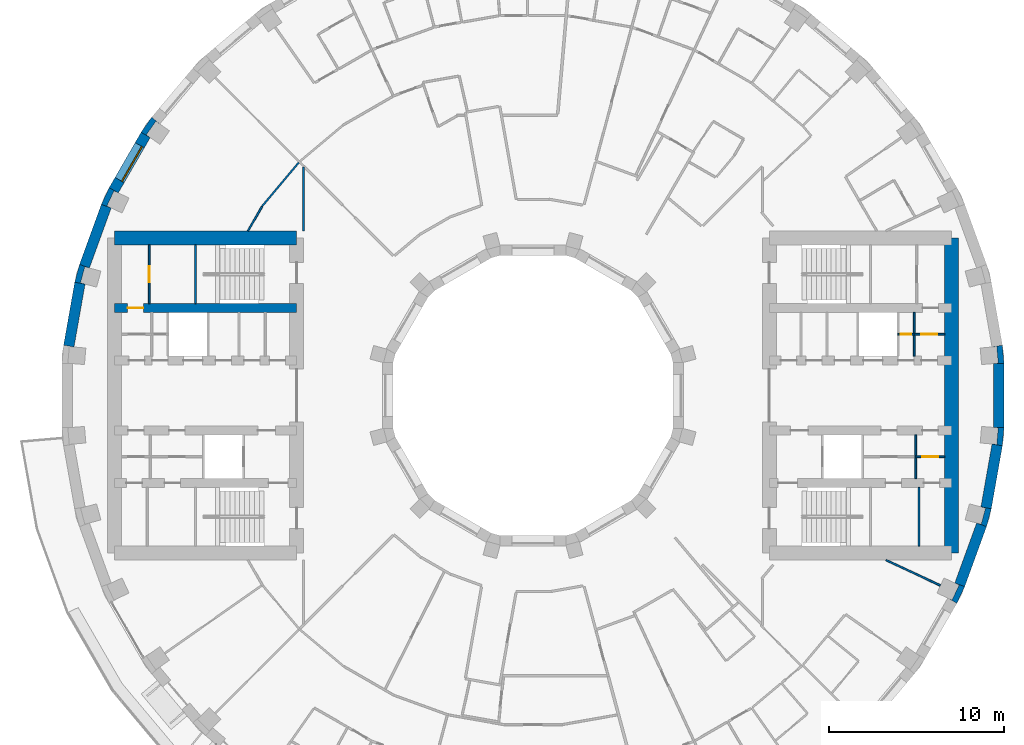
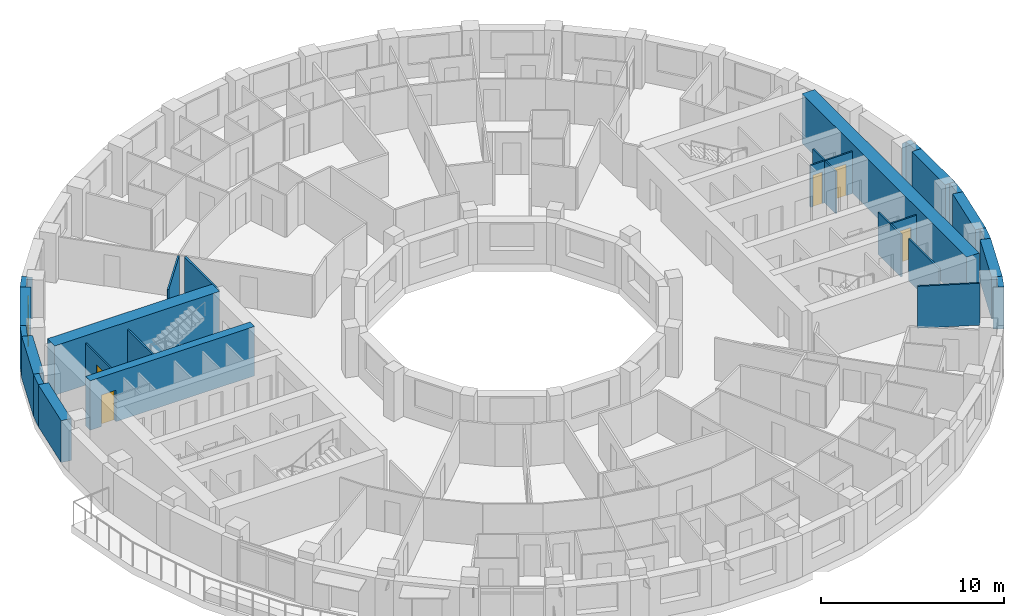
# One storey, part 10 of 16: 28 walls, 5 doors, 1 window, 6 openings.
"""IFC4 building model written with IfcOpenShell, lengths in metres."""

import ifcopenshell
import ifcopenshell.guid

model = None  # the IFC model being written
_history = None  # IfcOwnerHistory: only IFC2X3 demands one
_inside = {}  # id of a spatial element -> (the spatial element, [elements in it])
_under = {}  # id of a project, library or spatial element -> (it, [spatial elements below it])
_declared = {}  # id of a project -> (the project, [libraries it declares])
_typed = {}  # id of a type object -> (the type object, [elements of that type])
_made_of = {}  # id of a material, layer set ... -> (it, [elements and type objects made of it])


def new_model(schema):
    """Start an empty IFC model of exactly this schema.

    Asked for "IFC4X3", IfcOpenShell would pick the latest addendum, in which some entities
    have other attributes; the version numbers below select the first issue.
    IFC2X3 requires an IfcOwnerHistory on every rooted entity: one is made here for all.
    """
    global model, _history
    if schema == "IFC4X3":
        model = ifcopenshell.file(schema_version=(4, 3, 0, 0))
    else:
        model = ifcopenshell.file(schema=schema)
    _inside.clear()
    _under.clear()
    _declared.clear()
    _typed.clear()
    _made_of.clear()
    _history = None
    if model.schema == "IFC2X3":
        org = make("IfcOrganization", Name="unknown")
        user = make(
            "IfcPersonAndOrganization",
            ThePerson=make("IfcPerson", FamilyName="unknown"),
            TheOrganization=org,
        )
        app = make(
            "IfcApplication",
            ApplicationDeveloper=org,
            Version="unknown",
            ApplicationFullName="unknown",
            ApplicationIdentifier="unknown",
        )
        _history = make(
            "IfcOwnerHistory",
            OwningUser=user,
            OwningApplication=app,
            ChangeAction="ADDED",
            CreationDate=0,
        )
    return model


def make(cls, **values):
    """One entity of the class cls with the attributes given. An attribute that is None is left unset."""
    return model.create_entity(
        cls, **{name: value for name, value in values.items() if value is not None}
    )


def rooted(cls, **values):
    """An entity with a GlobalId (a new one), such as an element, a storey or a relation."""
    return make(cls, GlobalId=ifcopenshell.guid.new(), OwnerHistory=_history, **values)


def si_unit(unit_type, name, prefix=None):
    """IfcSIUnit, for example si_unit("LENGTHUNIT", "METRE", prefix="MILLI")."""
    return make("IfcSIUnit", UnitType=unit_type, Prefix=prefix, Name=name)


def assignment(units):
    """IfcUnitAssignment: the units of a project."""
    return None if units is None else make("IfcUnitAssignment", Units=units)


def point(xyz):
    """IfcCartesianPoint."""
    return None if xyz is None else make("IfcCartesianPoint", Coordinates=xyz)


def direction(xyz):
    """IfcDirection."""
    return None if xyz is None else make("IfcDirection", DirectionRatios=xyz)


def frame(location, z_axis=None, x_axis=None):
    """IfcAxis2Placement3D, a coordinate frame: its origin and axes. An axis left out is left unset."""
    return make(
        "IfcAxis2Placement3D",
        Location=point(location),
        Axis=direction(z_axis),
        RefDirection=direction(x_axis),
    )


def frame_2d(location, x_axis=None):
    """IfcAxis2Placement2D, a coordinate frame in the plane: its origin and x axis."""
    return make(
        "IfcAxis2Placement2D", Location=point(location), RefDirection=direction(x_axis)
    )


def origin():
    """The frame at (0, 0, 0) with its axes left unset."""
    return frame((0.0, 0.0, 0.0))


def place(relative_to, where):
    """IfcLocalPlacement: puts the frame where relative to a parent placement (None: the world)."""
    return make(
        "IfcLocalPlacement", PlacementRelTo=relative_to, RelativePlacement=where
    )


def context(
    kind, dimensions, precision=None, world=None, true_north=None, identifier=None
):
    """IfcGeometricRepresentationContext, for example the 3D "Model" context."""
    return make(
        "IfcGeometricRepresentationContext",
        ContextIdentifier=identifier,
        ContextType=kind,
        CoordinateSpaceDimension=dimensions,
        Precision=precision,
        WorldCoordinateSystem=world,
        TrueNorth=true_north,
    )


def subcontext(parent, identifier, kind, view, scale=None):
    """IfcGeometricRepresentationSubContext, for example "Body" below "Model"."""
    return make(
        "IfcGeometricRepresentationSubContext",
        ContextIdentifier=identifier,
        ContextType=kind,
        ParentContext=parent,
        TargetScale=scale,
        TargetView=view,
    )


def project(units=None, contexts=None):
    """IfcProject with its units and contexts."""
    return rooted(
        "IfcProject",
        Name="project",
        RepresentationContexts=contexts,
        UnitsInContext=assignment(units),
    )


def spatial(cls, under=None, at=None, **own):
    """A site, building, storey or space (cls), placed at a placement, below another one or the project."""
    s = rooted(cls, ObjectPlacement=at, **own)
    if under is not None:
        _under.setdefault(under.id(), (under, []))[1].append(s)
    return s


def polyline(points):
    """IfcPolyline through the points."""
    return make("IfcPolyline", Points=[point(p) for p in points])


def profile(cls, at=None, kind="AREA", **sizes):
    """A parametric profile (cls). Its sizes go by their IFC names, for example OverallWidth=200.0."""
    return make(cls, ProfileType=kind, Position=at, **sizes)


def rectangle(**sizes):
    """IfcRectangleProfileDef."""
    return profile("IfcRectangleProfileDef", **sizes)


def outline(outer, holes=None, kind="AREA"):
    """IfcArbitraryClosedProfileDef: a profile drawn as a closed curve; with holes, ...WithVoids."""
    if holes is None:
        return make("IfcArbitraryClosedProfileDef", ProfileType=kind, OuterCurve=outer)
    return make(
        "IfcArbitraryProfileDefWithVoids",
        ProfileType=kind,
        OuterCurve=outer,
        InnerCurves=holes,
    )


def extrude(swept, where, along, depth):
    """IfcExtrudedAreaSolid: the profile swept, set in the frame where, extruded along a direction by depth."""
    return make(
        "IfcExtrudedAreaSolid",
        SweptArea=swept,
        Position=where,
        ExtrudedDirection=direction(along),
        Depth=depth,
    )


def shape(context_of_items, identifier, shape_type, items):
    """IfcShapeRepresentation: the items that make up one representation, for example the "Body"."""
    return make(
        "IfcShapeRepresentation",
        ContextOfItems=context_of_items,
        RepresentationIdentifier=identifier,
        RepresentationType=shape_type,
        Items=items,
    )


def material(Name=None, Category=None):
    """IfcMaterial."""
    return make("IfcMaterial", Name=Name, Category=Category)


def layer(
    of_material, thickness, ventilated=None, Name=None, Category=None, Priority=None
):
    """IfcMaterialLayer: one layer of a wall or slab, of a material (None: an air gap)."""
    return make(
        "IfcMaterialLayer",
        Material=of_material,
        LayerThickness=thickness,
        IsVentilated=ventilated,
        Name=Name,
        Category=Category,
        Priority=Priority,
    )


def layer_set(layers, Name=None):
    """IfcMaterialLayerSet."""
    return make("IfcMaterialLayerSet", MaterialLayers=layers, LayerSetName=Name)


def made_of(thing, what):
    """Note that an element or type object is made of a material, layer set ...; save() writes the relation."""
    if what is not None:
        _made_of.setdefault(what.id(), (what, []))[1].append(thing)
    return thing


def type_object(cls, material=None, **own):
    """A type object (cls), such as IfcWallType, which elements share."""
    return made_of(rooted(cls, **own), material)


def element(
    cls,
    number,
    at=None,
    inside=None,
    cuts=None,
    type_object=None,
    material=None,
    context=None,
    identifier="Body",
    shape_type=None,
    held_by="IfcProductDefinitionShape",
    body=None,
    shapes=None,
    **own,
):
    """One element of the class cls, such as IfcWall. Its Tag is "e" and its number.

    at: its placement. inside: the storey or other place that contains it. cuts: it is an
    opening in that element (IfcRelVoidsElement). A single representation is given by context,
    identifier, shape_type and body (its items); several are given by shapes. held_by: the class
    of the entity that holds the representations. save() writes the other relations.
    """
    e = rooted(cls, Tag="e%d" % number, ObjectPlacement=at, **own)
    if body is not None:
        shapes = [shape(context, identifier, shape_type, body)]
    if shapes is not None:
        e.Representation = make(held_by, Representations=shapes)
    if inside is not None:
        _inside.setdefault(inside.id(), (inside, []))[1].append(e)
    if cuts is not None:
        rooted(
            "IfcRelVoidsElement", RelatingBuildingElement=cuts, RelatedOpeningElement=e
        )
    if type_object is not None:
        _typed.setdefault(type_object.id(), (type_object, []))[1].append(e)
    return made_of(e, material)


def fill(opening, filler):
    """IfcRelFillsElement: the door or window that sits in an opening."""
    return rooted(
        "IfcRelFillsElement",
        RelatingOpeningElement=opening,
        RelatedBuildingElement=filler,
    )


def aggregate(whole, parts):
    """IfcRelAggregates: a whole, such as a stair, and the parts it consists of."""
    return rooted("IfcRelAggregates", RelatingObject=whole, RelatedObjects=parts)


def save(model, path):
    """Write the relations noted so far, then the file.

    IfcRelAggregates (storeys below a building ...), IfcRelContainedInSpatialStructure (elements
    in a storey), IfcRelDefinesByType, IfcRelAssociatesMaterial and IfcRelDeclares: one each for
    every whole, place, type object, material and project.
    """
    for whole, parts in _under.values():
        aggregate(whole, parts)
    for where, things in _inside.values():
        rooted(
            "IfcRelContainedInSpatialStructure",
            RelatedElements=things,
            RelatingStructure=where,
        )
    for kind, things in _typed.values():
        rooted("IfcRelDefinesByType", RelatedObjects=things, RelatingType=kind)
    for what, things in _made_of.values():
        rooted("IfcRelAssociatesMaterial", RelatedObjects=things, RelatingMaterial=what)
    for by, libraries in _declared.values():
        rooted("IfcRelDeclares", RelatingContext=by, RelatedDefinitions=libraries)
    model.write(path)


model = new_model("IFC4")

# Units and contexts
model_context = context("Model", 3, precision=1e-05, world=origin(), true_north=direction((0.0, 1.0)))
body_context = subcontext(model_context, "Body", "Model", "MODEL_VIEW")
ifc_project = project(units=[si_unit("LENGTHUNIT", "METRE"), si_unit("AREAUNIT", "SQUARE_METRE"), si_unit("VOLUMEUNIT", "CUBIC_METRE"), si_unit("PLANEANGLEUNIT", "RADIAN"), si_unit("MASSUNIT", "GRAM", prefix="KILO")], contexts=[model_context])

# Site, building, storey
site_placement = place(None, origin())
site = spatial("IfcSite", under=ifc_project, at=site_placement, CompositionType="ELEMENT")
building_placement = place(site_placement, origin())
building = spatial("IfcBuilding", under=site, at=building_placement, Name="Saqina Gate Tower", CompositionType="ELEMENT")
storey_placement = place(building_placement, frame((0.0, 0.0, 128.199951171875)))
storey = spatial("IfcBuildingStorey", under=building, at=storey_placement, Name="L36", CompositionType="ELEMENT", Elevation=128.199951171875)

# Walls
ifc_material_1 = material(Name="Brick masonry (buff)", Category="masonry")
wall_type_1 = type_object("IfcWallType", Name="BRICK PIER COPING BUFF", PredefinedType="SOLIDWALL", material=ifc_material_1)
wall_1_placement = place(storey_placement, origin())
element("IfcWall", 1, at=wall_1_placement, inside=storey, type_object=wall_type_1, Name="Pier cap L36 column 1", PredefinedType="SOLIDWALL", context=body_context, shape_type="SweptSolid", body=[
    extrude(outline(polyline([(26.805419921875, 2.87451171875), (26.214599609375, 2.770263671875), (26.482421875, 2.793701171875), (26.565185546875, 1.847412109375), (26.29736328125, 1.823974609375), (26.897216796875, 1.823974609375), (26.805419921875, 2.87451171875)])), origin(), (0.0, 0.0, 1.0), 2.800048828125),
])
wall_2_placement = place(storey_placement, origin())
element("IfcWall", 2, at=wall_2_placement, inside=storey, type_object=wall_type_1, Name="Pier cap L36 column 15", PredefinedType="SOLIDWALL", context=body_context, shape_type="SweptSolid", body=[
    extrude(outline(polyline([(-22.3818359375, 15.0283203125), (-21.862060546875, 14.728271484375), (-22.08251953125, 14.88232421875), (-21.53759765625, 15.66064453125), (-21.317138671875, 15.50634765625), (-21.77685546875, 15.89208984375), (-22.3818359375, 15.0283203125)])), origin(), (0.0, 0.0, 1.0), 2.800048828125),
])
wall_3_placement = place(storey_placement, origin())
element("IfcWall", 3, at=wall_3_placement, inside=storey, type_object=wall_type_1, Name="Pier cap L36 column 16", PredefinedType="SOLIDWALL", context=body_context, shape_type="SweptSolid", body=[
    extrude(outline(polyline([(-24.6513671875, 10.913330078125), (-24.08740234375, 10.7080078125), (-24.331298828125, 10.82177734375), (-23.9296875, 11.6826171875), (-23.68603515625, 11.569091796875), (-24.205810546875, 11.869140625), (-24.6513671875, 10.913330078125)])), origin(), (0.0, 0.0, 1.0), 2.800048828125),
])
wall_4_placement = place(storey_placement, origin())
element("IfcWall", 4, at=wall_4_placement, inside=storey, type_object=wall_type_1, Name="Pier cap L36 column 17", PredefinedType="SOLIDWALL", context=body_context, shape_type="SweptSolid", body=[
    extrude(outline(polyline([(-25.89892578125, 7.485595703125), (-26.171875, 6.466796875), (-25.5810546875, 6.36279296875), (-25.8408203125, 6.43212890625), (-25.5947265625, 7.349853515625), (-25.335205078125, 7.2802734375), (-25.89892578125, 7.485595703125)])), origin(), (0.0, 0.0, 1.0), 2.800048828125),
])
wall_5_placement = place(storey_placement, origin())
element("IfcWall", 5, at=wall_5_placement, inside=storey, type_object=wall_type_1, Name="Pier cap L36 column 34", PredefinedType="SOLIDWALL", context=body_context, shape_type="SweptSolid", body=[
    extrude(outline(polyline([(24.6513671875, -10.913330078125), (24.08740234375, -10.7080078125), (24.331298828125, -10.82177734375), (23.9296875, -11.6826171875), (23.68603515625, -11.569091796875), (24.205810546875, -11.869140625), (24.6513671875, -10.913330078125)])), origin(), (0.0, 0.0, 1.0), 2.800048828125),
])
wall_6_placement = place(storey_placement, origin())
element("IfcWall", 6, at=wall_6_placement, inside=storey, type_object=wall_type_1, Name="Pier cap L36 column 35", PredefinedType="SOLIDWALL", context=body_context, shape_type="SweptSolid", body=[
    extrude(outline(polyline([(25.89892578125, -7.485595703125), (26.171875, -6.466796875), (25.5810546875, -6.36279296875), (25.8408203125, -6.43212890625), (25.5947265625, -7.349853515625), (25.335205078125, -7.2802734375), (25.89892578125, -7.485595703125)])), origin(), (0.0, 0.0, 1.0), 2.800048828125),
])
wall_7_placement = place(storey_placement, origin())
element("IfcWall", 7, at=wall_7_placement, inside=storey, type_object=wall_type_1, Name="Pier cap L36 column 36", PredefinedType="SOLIDWALL", context=body_context, shape_type="SweptSolid", body=[
    extrude(outline(polyline([(26.805419921875, -2.87451171875), (26.897216796875, -1.823974609375), (26.29736328125, -1.823974609375), (26.565185546875, -1.847412109375), (26.482421875, -2.793701171875), (26.214599609375, -2.770263671875), (26.805419921875, -2.87451171875)])), origin(), (0.0, 0.0, 1.0), 2.800048828125),
])
ifc_material_2 = material(Name="Gypsum board on steel studs", Category="steel")
ifc_layer_1 = layer(ifc_material_2, 0.10009765625)
ifc_layer_set_1 = layer_set([ifc_layer_1], Name="CORE PARTITION")
wall_type_2 = type_object("IfcWallType", Name="CORE PARTITION", PredefinedType="PARTITIONING", material=ifc_layer_set_1)
for number, where, z_axis, x_axis, name in (
    (8, (21.77099609375, 2.25, 0.0), (0.0, 0.0, 1.0), (0.0, 1.0, 0.0), "L36-CP-E05"),
    (9, (21.8583984375, -4.75, 0.0), (0.0, 0.0, 1.0), (0.0, 1.0, 0.0), "L36-CP-E08"),
):
    element("IfcWall", number, at=place(storey_placement, frame(where, z_axis=z_axis, x_axis=x_axis)), inside=storey, type_object=wall_type_2, Name=name, PredefinedType="PARTITIONING", context=body_context, shape_type="SweptSolid", body=[
        extrude(rectangle(XDim=2.5, YDim=0.10009765625, at=frame_2d((1.25, 0.0))), origin(), (0.0, 0.0, 1.0), 2.800048828125),
    ])

# Wall, opening, door
wall_8_placement = place(storey_placement, frame((20.840087890625, 3.5, 0.0), z_axis=(0.0, 0.0, 1.0), x_axis=(1.0, 0.0, 0.0)))
wall_8 = element("IfcWall", 10, at=wall_8_placement, inside=storey, type_object=wall_type_2, Name="L36-CP-E09", PredefinedType="PARTITIONING", context=body_context, shape_type="SweptSolid", body=[
    extrude(rectangle(XDim=0.930908203125, YDim=0.10009765625, at=frame_2d((0.46533203125, 0.0))), origin(), (0.0, 0.0, 1.0), 2.800048828125),
])
opening_1_placement = place(wall_8_placement, frame((0.14990234375, 0.0, 0.0)))
opening_1 = element("IfcOpeningElement", 11, at=opening_1_placement, cuts=wall_8, Name="Opening G10-D98", PredefinedType="OPENING", context=body_context, shape_type="SweptSolid", body=[
    extrude(rectangle(XDim=0.60009765625, YDim=2.10009765625, at=frame_2d((0.300048828125, 1.050048828125))), frame((0.0, 0.06201171875, 0.0), z_axis=(0.0, -1.0, 0.0), x_axis=(1.0, 0.0, 0.0)), (0.0, 0.0, 1.0), 0.1240234375),
])
ifc_material_3 = material(Name="Steel-framed fire door leaf, EI 60", Category="steel")
door_type_1 = type_object("IfcDoorType", Name="SERVICE ROOM DOOR 600", OperationType="SINGLE_SWING_LEFT", PredefinedType="DOOR", material=ifc_material_3)
door_1_placement = place(opening_1_placement, origin())
door_1 = element("IfcDoor", 12, at=door_1_placement, inside=storey, type_object=door_type_1, Name="L36-CD-E09", OperationType="SINGLE_SWING_LEFT", OverallHeight=2.10009765625, OverallWidth=0.60009765625, PredefinedType="DOOR", context=body_context, shape_type="SweptSolid", body=[
    extrude(rectangle(XDim=0.60009765625, YDim=2.10009765625, at=frame_2d((0.300048828125, 1.050048828125))), frame((0.0, 0.02490234375, 0.0), z_axis=(0.0, -1.0, 0.0), x_axis=(1.0, 0.0, 0.0)), (0.0, 0.0, 1.0), 0.050048828125),
])
fill(opening_1, door_1)

wall_9_placement = place(storey_placement, frame((21.77099609375, 3.5, 0.0), z_axis=(0.0, 0.0, 1.0), x_axis=(1.0, 0.0, 0.0)))
wall_9 = element("IfcWall", 13, at=wall_9_placement, inside=storey, type_object=wall_type_2, Name="L36-CP-E10", PredefinedType="PARTITIONING", context=body_context, shape_type="SweptSolid", body=[
    extrude(rectangle(XDim=1.72900390625, YDim=0.10009765625, at=frame_2d((0.864501953125, 0.0))), origin(), (0.0, 0.0, 1.0), 2.800048828125),
])
opening_2_placement = place(wall_9_placement, frame((0.41455078125, 0.0, 0.0)))
opening_2 = element("IfcOpeningElement", 14, at=opening_2_placement, cuts=wall_9, Name="Opening G10-D99", PredefinedType="OPENING", context=body_context, shape_type="SweptSolid", body=[
    extrude(rectangle(XDim=0.89990234375, YDim=2.10009765625, at=frame_2d((0.449951171875, 1.050048828125))), frame((0.0, 0.06201171875, 0.0), z_axis=(0.0, -1.0, 0.0), x_axis=(1.0, 0.0, 0.0)), (0.0, 0.0, 1.0), 0.1240234375),
])
ifc_material_4 = material(Name="Steel-framed fire door leaf, EI 60", Category="steel")
door_type_2 = type_object("IfcDoorType", Name="SERVICE ROOM DOOR 900", OperationType="SINGLE_SWING_LEFT", PredefinedType="DOOR", material=ifc_material_4)
door_2_placement = place(opening_2_placement, origin())
door_2 = element("IfcDoor", 15, at=door_2_placement, inside=storey, type_object=door_type_2, Name="L36-CD-E10", OperationType="SINGLE_SWING_RIGHT", OverallHeight=2.10009765625, OverallWidth=0.89990234375, PredefinedType="DOOR", context=body_context, shape_type="SweptSolid", body=[
    extrude(rectangle(XDim=0.89990234375, YDim=2.10009765625, at=frame_2d((0.449951171875, 1.050048828125))), frame((0.0, 0.02490234375, 0.0), z_axis=(0.0, -1.0, 0.0), x_axis=(1.0, 0.0, 0.0)), (0.0, 0.0, 1.0), 0.050048828125),
])
fill(opening_2, door_2)

wall_10_placement = place(storey_placement, frame((21.8583984375, -3.5, 0.0), z_axis=(0.0, 0.0, 1.0), x_axis=(1.0, 0.0, 0.0)))
wall_10 = element("IfcWall", 16, at=wall_10_placement, inside=storey, type_object=wall_type_2, Name="L36-CP-E12", PredefinedType="PARTITIONING", context=body_context, shape_type="SweptSolid", body=[
    extrude(rectangle(XDim=1.6416015625, YDim=0.10009765625, at=frame_2d((0.82080078125, 0.0))), origin(), (0.0, 0.0, 1.0), 2.800048828125),
])
opening_3_placement = place(wall_10_placement, frame((0.370849609375, 0.0, 0.0)))
opening_3 = element("IfcOpeningElement", 17, at=opening_3_placement, cuts=wall_10, Name="Opening G10-D102", PredefinedType="OPENING", context=body_context, shape_type="SweptSolid", body=[
    extrude(rectangle(XDim=0.89990234375, YDim=2.10009765625, at=frame_2d((0.449951171875, 1.050048828125))), frame((0.0, 0.06201171875, 0.0), z_axis=(0.0, -1.0, 0.0), x_axis=(1.0, 0.0, 0.0)), (0.0, 0.0, 1.0), 0.1240234375),
])
door_3_placement = place(opening_3_placement, frame((0.89990234375, 0.0, 0.0), z_axis=(0.0, 0.0, 1.0), x_axis=(-1.0, 0.0, 0.0)))
door_3 = element("IfcDoor", 18, at=door_3_placement, inside=storey, type_object=door_type_2, Name="L36-CD-E13", OperationType="SINGLE_SWING_LEFT", OverallHeight=2.10009765625, OverallWidth=0.89990234375, PredefinedType="DOOR", context=body_context, shape_type="SweptSolid", body=[
    extrude(rectangle(XDim=0.89990234375, YDim=2.10009765625, at=frame_2d((0.449951171875, 1.050048828125))), frame((0.0, 0.02490234375, 0.0), z_axis=(0.0, -1.0, 0.0), x_axis=(1.0, 0.0, 0.0)), (0.0, 0.0, 1.0), 0.050048828125),
])
fill(opening_3, door_3)

# Wall
wall_11_placement = place(storey_placement, frame((22.037109375, -8.60009765625, 0.0), z_axis=(0.0, 0.0, 1.0), x_axis=(0.0, 1.0, 0.0)))
element("IfcWall", 19, at=wall_11_placement, inside=storey, type_object=wall_type_2, Name="L36-CP-E16", PredefinedType="PARTITIONING", context=body_context, shape_type="SweptSolid", body=[
    extrude(rectangle(XDim=3.35009765625, YDim=0.10009765625, at=frame_2d((1.675048828125, 0.0))), origin(), (0.0, 0.0, 1.0), 2.800048828125),
])

# Wall, opening, door
wall_12_placement = place(storey_placement, frame((-21.91162109375, 5.25, 0.0), z_axis=(0.0, 0.0, 1.0), x_axis=(0.0, 1.0, 0.0)))
wall_12 = element("IfcWall", 20, at=wall_12_placement, inside=storey, type_object=wall_type_2, Name="L36-CP-W14", PredefinedType="PARTITIONING", context=body_context, shape_type="SweptSolid", body=[
    extrude(rectangle(XDim=3.35009765625, YDim=0.10009765625, at=frame_2d((1.675048828125, 0.0))), origin(), (0.0, 0.0, 1.0), 2.800048828125),
])
opening_4_placement = place(wall_12_placement, frame((1.22509765625, 0.0, 0.0)))
opening_4 = element("IfcOpeningElement", 21, at=opening_4_placement, cuts=wall_12, Name="Opening G10-D120", PredefinedType="OPENING", context=body_context, shape_type="SweptSolid", body=[
    extrude(rectangle(XDim=0.89990234375, YDim=2.10009765625, at=frame_2d((0.449951171875, 1.050048828125))), frame((0.0, 0.06201171875, 0.0), z_axis=(0.0, -1.0, 0.0), x_axis=(1.0, 0.0, 0.0)), (0.0, 0.0, 1.0), 0.1240234375),
])
door_4_placement = place(opening_4_placement, frame((0.89990234375, 0.0, 0.0), z_axis=(0.0, 0.0, 1.0), x_axis=(-1.0, 0.0, 0.0)))
door_4 = element("IfcDoor", 22, at=door_4_placement, inside=storey, type_object=door_type_2, Name="L36-CD-W31", OperationType="SINGLE_SWING_LEFT", OverallHeight=2.10009765625, OverallWidth=0.89990234375, PredefinedType="DOOR", context=body_context, shape_type="SweptSolid", body=[
    extrude(rectangle(XDim=0.89990234375, YDim=2.10009765625, at=frame_2d((0.449951171875, 1.050048828125))), frame((0.0, 0.02490234375, 0.0), z_axis=(0.0, -1.0, 0.0), x_axis=(1.0, 0.0, 0.0)), (0.0, 0.0, 1.0), 0.050048828125),
])
fill(opening_4, door_4)

# Wall, opening, window
ifc_material_5 = material(Name="Brick masonry (buff)", Category="masonry")
ifc_layer_2 = layer(ifc_material_5, 0.60009765625)
ifc_layer_set_2 = layer_set([ifc_layer_2], Name="FW-BRICK-BUFF")
wall_type_3 = type_object("IfcWallType", Name="FW-BRICK-BUFF", PredefinedType="SOLIDWALL", material=ifc_layer_set_2)
wall_13_placement = place(storey_placement, frame((-22.1220703125, 14.878173828125, 0.0), z_axis=(0.0, 0.0, 1.0), x_axis=(-0.499954196102, -0.866051847062, 0.0)))
wall_13 = element("IfcWall", 23, at=wall_13_placement, inside=storey, type_object=wall_type_3, Name="Facade wall L36 facet 15", PredefinedType="SOLIDWALL", context=body_context, shape_type="SweptSolid", body=[
    extrude(rectangle(XDim=3.647705078125, YDim=0.60009765625, at=frame_2d((1.82373046875, 0.0))), origin(), (0.0, 0.0, 1.0), 2.800048828125),
])
opening_5_placement = place(wall_13_placement, frame((0.673828125, 0.0, 0.89990234375)))
opening_5 = element("IfcOpeningElement", 24, at=opening_5_placement, cuts=wall_13, Name="Opening G10-W13", PredefinedType="OPENING", context=body_context, shape_type="SweptSolid", body=[
    extrude(rectangle(XDim=2.300048828125, YDim=1.800048828125, at=frame_2d((1.14990234375, 0.89990234375))), frame((0.0, 0.31201171875, 0.0), z_axis=(0.0, -1.0, 0.0), x_axis=(1.0, 0.0, 0.0)), (0.0, 0.0, 1.0), 0.6240234375),
])
ifc_material_6 = material(Name="Aluminium glazing", Category="aluminium")
window_type = type_object("IfcWindowType", Name="WN-B", PartitioningType="SINGLE_PANEL", PredefinedType="WINDOW", material=ifc_material_6)
window_placement = place(opening_5_placement, origin())
window = element("IfcWindow", 25, at=window_placement, inside=storey, type_object=window_type, Name="Window L36 facet 15", OverallHeight=1.800048828125, OverallWidth=2.300048828125, PartitioningType="SINGLE_PANEL", PredefinedType="WINDOW", context=body_context, shape_type="SweptSolid", body=[
    extrude(rectangle(XDim=2.300048828125, YDim=1.800048828125, at=frame_2d((1.14990234375, 0.89990234375))), frame((0.0, 0.179931640625, 0.0), z_axis=(0.0, -1.0, 0.0), x_axis=(1.0, 0.0, 0.0)), (0.0, 0.0, 1.0), 0.06005859375),
])
fill(opening_5, window)

# Walls
ifc_material_7 = material(Name="Glazed ceramic tile", Category="ceramic")
ifc_layer_3 = layer(ifc_material_7, 0.60009765625)
ifc_layer_set_3 = layer_set([ifc_layer_3], Name="FW-TILE")
wall_type_4 = type_object("IfcWallType", Name="FW-TILE", PredefinedType="SOLIDWALL", material=ifc_layer_set_3)
for number, where, z_axis, x_axis, name in (
    (26, (-25.87646484375, 6.414794921875, 0.0), (0.0, 0.0, 1.0), (-0.173670796382, -0.984803764455, 0.0), "Facade wall L36 facet 17"),
    (27, (25.87646484375, -6.414794921875, 0.0), (0.0, 0.0, 1.0), (0.173670796382, 0.984803764455, 0.0), "Facade wall L36 facet 35"),
):
    element("IfcWall", number, at=place(storey_placement, frame(where, z_axis=z_axis, x_axis=x_axis)), inside=storey, type_object=wall_type_4, Name=name, PredefinedType="SOLIDWALL", context=body_context, shape_type="SweptSolid", body=[
        extrude(rectangle(XDim=3.64794921875, YDim=0.60009765625, at=frame_2d((1.823974609375, 0.0))), origin(), (0.0, 0.0, 1.0), 2.800048828125),
    ])
ifc_material_8 = material(Name="Glazed ceramic tile (dark blue)", Category="ceramic")
ifc_layer_4 = layer(ifc_material_8, 0.60009765625)
ifc_layer_set_4 = layer_set([ifc_layer_4], Name="FW-TILE-CB")
wall_type_5 = type_object("IfcWallType", Name="FW-TILE-CB", PredefinedType="SOLIDWALL", material=ifc_layer_set_4)
wall_14_placement = place(storey_placement, frame((24.369384765625, -10.810791015625, 0.0), z_axis=(0.0, 0.0, 1.0), x_axis=(0.341990236633, 0.939703505393, 0.0)))
element("IfcWall", 28, at=wall_14_placement, inside=storey, type_object=wall_type_5, Name="Facade wall L36 facet 34", PredefinedType="SOLIDWALL", context=body_context, shape_type="SweptSolid", body=[
    extrude(rectangle(XDim=3.64794921875, YDim=0.60009765625, at=frame_2d((1.823974609375, 0.0))), origin(), (0.0, 0.0, 1.0), 2.800048828125),
])
ifc_material_9 = material(Name="Glazed ceramic tile (white)", Category="ceramic")
ifc_layer_5 = layer(ifc_material_9, 0.60009765625)
ifc_layer_set_5 = layer_set([ifc_layer_5], Name="FW-TILE-WH")
wall_type_6 = type_object("IfcWallType", Name="FW-TILE-WH", PredefinedType="SOLIDWALL", material=ifc_layer_set_5)
for number, where, z_axis, x_axis, name in (
    (29, (-24.369384765625, 10.810791015625, 0.0), (0.0, 0.0, 1.0), (-0.341990236633, -0.939703505393, 0.0), "Facade wall L36 facet 16"),
    (30, (26.59716796875, -1.823974609375, 0.0), (0.0, 0.0, 1.0), (0.0, 1.0, 0.0), "Facade wall L36 facet 36"),
):
    element("IfcWall", number, at=place(storey_placement, frame(where, z_axis=z_axis, x_axis=x_axis)), inside=storey, type_object=wall_type_6, Name=name, PredefinedType="SOLIDWALL", context=body_context, shape_type="SweptSolid", body=[
        extrude(rectangle(XDim=3.64794921875, YDim=0.60009765625, at=frame_2d((1.823974609375, 0.0))), origin(), (0.0, 0.0, 1.0), 2.800048828125),
    ])
ifc_material_10 = material(Name="Gypsum board on steel studs, 100 mm", Category="steel")
ifc_layer_6 = layer(ifc_material_10, 0.10009765625)
ifc_layer_set_6 = layer_set([ifc_layer_6], Name="PARTITION 100")
wall_type_7 = type_object("IfcWallType", Name="PARTITION 100", PredefinedType="PARTITIONING", material=ifc_layer_set_6)
wall_15_placement = place(storey_placement, frame((20.159912109375, -9.39990234375, 0.0), z_axis=(0.0, 0.0, 1.0), x_axis=(0.906121146584, -0.423018282954, 0.0)))
element("IfcWall", 31, at=wall_15_placement, inside=storey, type_object=wall_type_7, Name="PARTITION PW3-39", PredefinedType="PARTITIONING", context=body_context, shape_type="SweptSolid", body=[
    extrude(rectangle(XDim=3.42138671875, YDim=0.10009765625, at=frame_2d((1.710693359375, 0.0))), origin(), (0.0, 0.0, 1.0), 2.800048828125),
])
wall_16_placement = place(storey_placement, frame((-15.49072265625, 10.78515625, 0.0), z_axis=(0.0, 0.0, 1.0), x_axis=(0.642706409745, 0.766112570627, 0.0)))
element("IfcWall", 32, at=wall_16_placement, inside=storey, type_object=wall_type_7, Name="PARTITION PW3-87", PredefinedType="PARTITIONING", context=body_context, shape_type="SweptSolid", body=[
    extrude(rectangle(XDim=3.2900390625, YDim=0.10009765625, at=frame_2d((1.64501953125, 0.0))), origin(), (0.0, 0.0, 1.0), 2.800048828125),
])
wall_17_placement = place(storey_placement, frame((-16.281005859375, 9.39794921875, 0.0), z_axis=(0.0, 0.0, 1.0), x_axis=(0.499872473806, 0.866099018549, 0.0)))
element("IfcWall", 33, at=wall_17_placement, inside=storey, type_object=wall_type_7, Name="PARTITION PW3-93", PredefinedType="PARTITIONING", context=body_context, shape_type="SweptSolid", body=[
    extrude(rectangle(XDim=1.5966796875, YDim=0.10009765625, at=frame_2d((0.79833984375, 0.0))), origin(), (0.0, 0.0, 1.0), 2.800048828125),
])
ifc_material_11 = material(Name="Gypsum board on steel studs, 125 mm, fire rated", Category="steel")
ifc_layer_7 = layer(ifc_material_11, 0.125)
ifc_layer_set_7 = layer_set([ifc_layer_7], Name="PARTITION EI 30 125")
wall_type_8 = type_object("IfcWallType", Name="PARTITION EI 30 125", PredefinedType="PARTITIONING", material=ifc_layer_set_7)
wall_18_placement = place(storey_placement, frame((-13.10009765625, 9.39990234375, 0.0), z_axis=(0.0, 0.0, 1.0), x_axis=(0.0, 1.0, 0.0)))
element("IfcWall", 34, at=wall_18_placement, inside=storey, type_object=wall_type_8, Name="PARTITION PW1-61", PredefinedType="PARTITIONING", context=body_context, shape_type="SweptSolid", body=[
    extrude(rectangle(XDim=3.6376953125, YDim=0.125, at=frame_2d((1.81884765625, 0.0))), origin(), (0.0, 0.0, 1.0), 2.800048828125),
])
ifc_material_12 = material(Name="Autoclaved aerated concrete block", Category="concrete")
ifc_layer_8 = layer(ifc_material_12, 0.10009765625)
ifc_layer_set_8 = layer_set([ifc_layer_8], Name="STAIR ENCLOSURE WALL")
wall_type_9 = type_object("IfcWallType", Name="STAIR ENCLOSURE WALL", PredefinedType="PARTITIONING", material=ifc_layer_set_8)
wall_19_placement = place(storey_placement, frame((-19.27001953125, 5.25, 0.0), z_axis=(0.0, 0.0, 1.0), x_axis=(0.0, 1.0, 0.0)))
element("IfcWall", 35, at=wall_19_placement, inside=storey, type_object=wall_type_9, Name="L36-CP-W13", PredefinedType="PARTITIONING", context=body_context, shape_type="SweptSolid", body=[
    extrude(rectangle(XDim=3.35009765625, YDim=0.10009765625, at=frame_2d((1.675048828125, 0.0))), origin(), (0.0, 0.0, 1.0), 2.800048828125),
])

# Wall, opening, door
ifc_material_13 = material(Name="Concrete C70/85", Category="concrete")
ifc_layer_9 = layer(ifc_material_13, 0.5)
ifc_layer_set_9 = layer_set([ifc_layer_9], Name="Concrete C70/85")
wall_type_10 = type_object("IfcWallType", Name="STR-CORE WALL-B-I", PredefinedType="SHEAR", material=ifc_layer_set_9)
wall_20_placement = place(storey_placement, frame((-13.5, 5.0, 0.0), z_axis=(0.0, 0.0, 1.0), x_axis=(-1.0, 0.0, 0.0)))
wall_20 = element("IfcWall", 36, at=wall_20_placement, inside=storey, type_object=wall_type_10, Name="CORE WALL L36 W-X1", PredefinedType="SHEAR", context=body_context, shape_type="SweptSolid", body=[
    extrude(rectangle(XDim=10.39990234375, YDim=0.5, at=frame_2d((5.199951171875, 0.0))), origin(), (0.0, 0.0, 1.0), 3.300048828125),
])
opening_6_placement = place(wall_20_placement, frame((8.755859375, 0.0, 0.0)))
opening_6 = element("IfcOpeningElement", 37, at=opening_6_placement, cuts=wall_20, Name="Opening G10-D121", PredefinedType="OPENING", context=body_context, shape_type="SweptSolid", body=[
    extrude(rectangle(XDim=0.89990234375, YDim=2.10009765625, at=frame_2d((0.449951171875, 1.050048828125))), frame((0.0, 0.261962890625, 0.0), z_axis=(0.0, -1.0, 0.0), x_axis=(1.0, 0.0, 0.0)), (0.0, 0.0, 1.0), 0.52392578125),
])
door_5_placement = place(opening_6_placement, frame((0.89990234375, 0.0, 0.0), z_axis=(0.0, 0.0, 1.0), x_axis=(-1.0, 0.0, 0.0)))
door_5 = element("IfcDoor", 38, at=door_5_placement, inside=storey, type_object=door_type_2, Name="L36-CD-W32", OperationType="SINGLE_SWING_LEFT", OverallHeight=2.10009765625, OverallWidth=0.89990234375, PredefinedType="DOOR", context=body_context, shape_type="SweptSolid", body=[
    extrude(rectangle(XDim=0.89990234375, YDim=2.10009765625, at=frame_2d((0.449951171875, 1.050048828125))), frame((0.0, 0.02490234375, 0.0), z_axis=(0.0, -1.0, 0.0), x_axis=(1.0, 0.0, 0.0)), (0.0, 0.0, 1.0), 0.050048828125),
])
fill(opening_6, door_5)

# Walls
ifc_material_14 = material(Name="Concrete C70/85", Category="concrete")
ifc_layer_10 = layer(ifc_material_14, 0.800048828125)
ifc_layer_set_10 = layer_set([ifc_layer_10], Name="Concrete C70/85")
wall_type_11 = type_object("IfcWallType", Name="STR-CORE WALL-B-O", PredefinedType="SHEAR", material=ifc_layer_set_10)
wall_21_placement = place(storey_placement, frame((23.89990234375, -9.0, 0.0), z_axis=(0.0, 0.0, 1.0), x_axis=(0.0, 1.0, 0.0)))
element("IfcWall", 39, at=wall_21_placement, inside=storey, type_object=wall_type_11, Name="CORE WALL L36 E-W2", PredefinedType="SHEAR", context=body_context, shape_type="SweptSolid", body=[
    extrude(rectangle(XDim=18.0, YDim=0.800048828125, at=frame_2d((9.0, 0.0))), origin(), (0.0, 0.0, 1.0), 3.300048828125),
])
wall_22_placement = place(storey_placement, frame((-13.5, 9.0, 0.0), z_axis=(0.0, 0.0, 1.0), x_axis=(-1.0, 0.0, 0.0)))
element("IfcWall", 40, at=wall_22_placement, inside=storey, type_object=wall_type_11, Name="CORE WALL L36 W-NE", PredefinedType="SHEAR", context=body_context, shape_type="SweptSolid", body=[
    extrude(rectangle(XDim=10.39990234375, YDim=0.800048828125, at=frame_2d((5.199951171875, 0.0))), origin(), (0.0, 0.0, 1.0), 3.300048828125),
])

save(model, "model.ifc")
